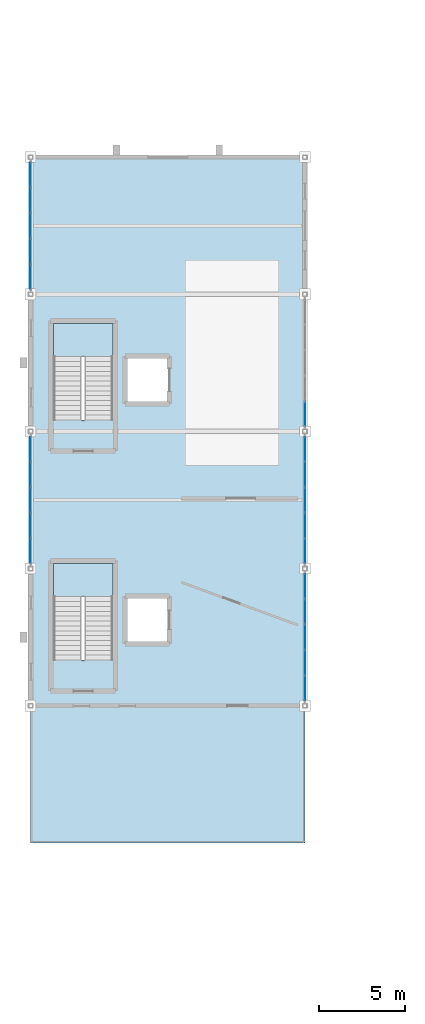
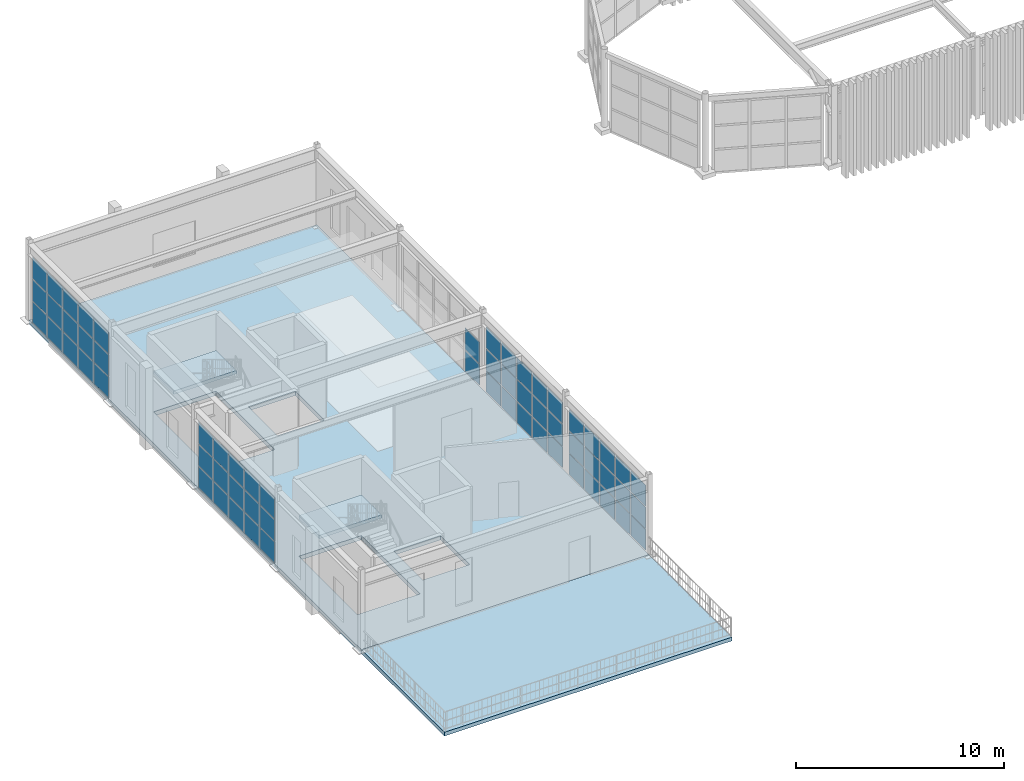
# One storey, part 35 of 61: 62 plates, 4 slabs, 7 elements without a shape of their own.
"""IFC4 building model written with IfcOpenShell, lengths in metres."""

from ifc_helpers import new_model, si_unit, direction, frame, origin, origin_2d, place, context, subcontext, project, spatial, polyline, rectangle, outline, extrude, material, layer, layer_set, type_object, element, aggregate, save


model = new_model("IFC4")

# Units and contexts
model_context = context("Model", 3, precision=1e-05, world=origin(), true_north=direction((0.0, 1.0)))
body_context = subcontext(model_context, "Body", "Model", "MODEL_VIEW")
ifc_project = project(units=[si_unit("LENGTHUNIT", "METRE"), si_unit("AREAUNIT", "SQUARE_METRE"), si_unit("VOLUMEUNIT", "CUBIC_METRE"), si_unit("PLANEANGLEUNIT", "RADIAN"), si_unit("MASSUNIT", "GRAM", prefix="KILO")], contexts=[model_context])

# Site, building, storey
site_placement = place(None, origin())
site = spatial("IfcSite", under=ifc_project, at=site_placement, CompositionType="ELEMENT")
building_placement = place(site_placement, origin())
building = spatial("IfcBuilding", under=site, at=building_placement, Name="Serraluz Foothill Cableway Terminal", CompositionType="ELEMENT")
storey_placement = place(building_placement, frame((0.0, 0.0, 15.0)))
storey = spatial("IfcBuildingStorey", under=building, at=storey_placement, Name="L03", CompositionType="ELEMENT", Elevation=15.0)

# Curtain wall, plates
ifc_material_1 = material(Name="Architectural bronze alloy C28000", Category="aluminium")
curtain_wall_type_1 = type_object("IfcCurtainWallType", Name="TYP-CW-680X420", PredefinedType="NOTDEFINED", material=ifc_material_1)
curtain_wall_1_placement = place(storey_placement, origin())
curtain_wall_1 = element("IfcCurtainWall", 1, at=curtain_wall_1_placement, inside=storey, type_object=curtain_wall_type_1, Name="Ribbed Glazed Curtain Wall CW-V5E-L03-32", PredefinedType="NOTDEFINED")
ifc_material_2 = material(Name="Translucent ribbed laminated channel glass", Category="glass")
ifc_layer_1 = layer(ifc_material_2, 0.028076171875, Name="Translucent ribbed laminated channel glass", Category="glass")
ifc_layer_set_1 = layer_set([ifc_layer_1], Name="Translucent ribbed laminated channel glass")
plate_type = type_object("IfcPlateType", Name="TYP-CW-PNL-28", PredefinedType="CURTAIN_PANEL", material=ifc_layer_set_1)
plate_1_placement = place(storey_placement, frame((16.0, 38.972900390625, 0.06005859375), z_axis=(0.0, 0.0, 1.0), x_axis=(0.0, -1.0, 0.0)))
plate_1 = element("IfcPlate", 2, at=plate_1_placement, type_object=plate_type, Name="CW-13 panel 1.1", PredefinedType="CURTAIN_PANEL", context=body_context, shape_type="SweptSolid", body=[
    extrude(rectangle(XDim=1.404052734375, YDim=0.028076171875, at=origin_2d()), origin(), (0.0, 0.0, 1.0), 1.224609375),
])
plate_2_placement = place(storey_placement, frame((16.0, 38.972900390625, 1.3447265625), z_axis=(0.0, 0.0, 1.0), x_axis=(0.0, -1.0, 0.0)))
plate_2 = element("IfcPlate", 3, at=plate_2_placement, type_object=plate_type, Name="CW-13 panel 1.2", PredefinedType="CURTAIN_PANEL", context=body_context, shape_type="SweptSolid", body=[
    extrude(rectangle(XDim=1.404052734375, YDim=0.028076171875, at=origin_2d()), origin(), (0.0, 0.0, 1.0), 1.254638671875),
])
plate_3_placement = place(storey_placement, frame((16.0, 38.972900390625, 2.659423828125), z_axis=(0.0, 0.0, 1.0), x_axis=(0.0, -1.0, 0.0)))
plate_3 = element("IfcPlate", 4, at=plate_3_placement, type_object=plate_type, Name="CW-13 panel 1.3", PredefinedType="CURTAIN_PANEL", context=body_context, shape_type="SweptSolid", body=[
    extrude(rectangle(XDim=1.404052734375, YDim=0.028076171875, at=origin_2d()), origin(), (0.0, 0.0, 1.0), 1.224609375),
])
plate_4_placement = place(storey_placement, frame((16.0, 37.493896484375, 0.06005859375), z_axis=(0.0, 0.0, 1.0), x_axis=(0.0, -1.0, 0.0)))
plate_4 = element("IfcPlate", 5, at=plate_4_placement, type_object=plate_type, Name="CW-13 panel 2.1", PredefinedType="CURTAIN_PANEL", context=body_context, shape_type="SweptSolid", body=[
    extrude(rectangle(XDim=1.43408203125, YDim=0.028076171875, at=origin_2d()), origin(), (0.0, 0.0, 1.0), 1.224609375),
])
plate_5_placement = place(storey_placement, frame((16.0, 37.493896484375, 1.3447265625), z_axis=(0.0, 0.0, 1.0), x_axis=(0.0, -1.0, 0.0)))
plate_5 = element("IfcPlate", 6, at=plate_5_placement, type_object=plate_type, Name="CW-13 panel 2.2", PredefinedType="CURTAIN_PANEL", context=body_context, shape_type="SweptSolid", body=[
    extrude(rectangle(XDim=1.43408203125, YDim=0.028076171875, at=origin_2d()), origin(), (0.0, 0.0, 1.0), 1.254638671875),
])
plate_6_placement = place(storey_placement, frame((16.0, 37.493896484375, 2.659423828125), z_axis=(0.0, 0.0, 1.0), x_axis=(0.0, -1.0, 0.0)))
plate_6 = element("IfcPlate", 7, at=plate_6_placement, type_object=plate_type, Name="CW-13 panel 2.3", PredefinedType="CURTAIN_PANEL", context=body_context, shape_type="SweptSolid", body=[
    extrude(rectangle(XDim=1.43408203125, YDim=0.028076171875, at=origin_2d()), origin(), (0.0, 0.0, 1.0), 1.224609375),
])
plate_7_placement = place(storey_placement, frame((16.0, 36.0, 0.06005859375), z_axis=(0.0, 0.0, 1.0), x_axis=(0.0, -1.0, 0.0)))
plate_7 = element("IfcPlate", 8, at=plate_7_placement, type_object=plate_type, Name="CW-13 panel 3.1", PredefinedType="CURTAIN_PANEL", context=body_context, shape_type="SweptSolid", body=[
    extrude(rectangle(XDim=1.43408203125, YDim=0.028076171875, at=origin_2d()), origin(), (0.0, 0.0, 1.0), 1.224609375),
])
plate_8_placement = place(storey_placement, frame((16.0, 36.0, 1.3447265625), z_axis=(0.0, 0.0, 1.0), x_axis=(0.0, -1.0, 0.0)))
plate_8 = element("IfcPlate", 9, at=plate_8_placement, type_object=plate_type, Name="CW-13 panel 3.2", PredefinedType="CURTAIN_PANEL", context=body_context, shape_type="SweptSolid", body=[
    extrude(rectangle(XDim=1.43408203125, YDim=0.028076171875, at=origin_2d()), origin(), (0.0, 0.0, 1.0), 1.254638671875),
])
plate_9_placement = place(storey_placement, frame((16.0, 36.0, 2.659423828125), z_axis=(0.0, 0.0, 1.0), x_axis=(0.0, -1.0, 0.0)))
plate_9 = element("IfcPlate", 10, at=plate_9_placement, type_object=plate_type, Name="CW-13 panel 3.3", PredefinedType="CURTAIN_PANEL", context=body_context, shape_type="SweptSolid", body=[
    extrude(rectangle(XDim=1.43408203125, YDim=0.028076171875, at=origin_2d()), origin(), (0.0, 0.0, 1.0), 1.224609375),
])
plate_10_placement = place(storey_placement, frame((16.0, 34.506103515625, 0.06005859375), z_axis=(0.0, 0.0, 1.0), x_axis=(0.0, -1.0, 0.0)))
plate_10 = element("IfcPlate", 11, at=plate_10_placement, type_object=plate_type, Name="CW-13 panel 4.1", PredefinedType="CURTAIN_PANEL", context=body_context, shape_type="SweptSolid", body=[
    extrude(rectangle(XDim=1.43408203125, YDim=0.028076171875, at=origin_2d()), origin(), (0.0, 0.0, 1.0), 1.224609375),
])
plate_11_placement = place(storey_placement, frame((16.0, 34.506103515625, 1.3447265625), z_axis=(0.0, 0.0, 1.0), x_axis=(0.0, -1.0, 0.0)))
plate_11 = element("IfcPlate", 12, at=plate_11_placement, type_object=plate_type, Name="CW-13 panel 4.2", PredefinedType="CURTAIN_PANEL", context=body_context, shape_type="SweptSolid", body=[
    extrude(rectangle(XDim=1.43408203125, YDim=0.028076171875, at=origin_2d()), origin(), (0.0, 0.0, 1.0), 1.254638671875),
])
plate_12_placement = place(storey_placement, frame((16.0, 34.506103515625, 2.659423828125), z_axis=(0.0, 0.0, 1.0), x_axis=(0.0, -1.0, 0.0)))
plate_12 = element("IfcPlate", 13, at=plate_12_placement, type_object=plate_type, Name="CW-13 panel 4.3", PredefinedType="CURTAIN_PANEL", context=body_context, shape_type="SweptSolid", body=[
    extrude(rectangle(XDim=1.43408203125, YDim=0.028076171875, at=origin_2d()), origin(), (0.0, 0.0, 1.0), 1.224609375),
])
plate_13_placement = place(storey_placement, frame((16.0, 33.027099609375, 0.06005859375), z_axis=(0.0, 0.0, 1.0), x_axis=(0.0, -1.0, 0.0)))
plate_13 = element("IfcPlate", 14, at=plate_13_placement, type_object=plate_type, Name="CW-13 panel 5.1", PredefinedType="CURTAIN_PANEL", context=body_context, shape_type="SweptSolid", body=[
    extrude(rectangle(XDim=1.404052734375, YDim=0.028076171875, at=origin_2d()), origin(), (0.0, 0.0, 1.0), 1.224609375),
])
plate_14_placement = place(storey_placement, frame((16.0, 33.027099609375, 1.3447265625), z_axis=(0.0, 0.0, 1.0), x_axis=(0.0, -1.0, 0.0)))
plate_14 = element("IfcPlate", 15, at=plate_14_placement, type_object=plate_type, Name="CW-13 panel 5.2", PredefinedType="CURTAIN_PANEL", context=body_context, shape_type="SweptSolid", body=[
    extrude(rectangle(XDim=1.404052734375, YDim=0.028076171875, at=origin_2d()), origin(), (0.0, 0.0, 1.0), 1.254638671875),
])
plate_15_placement = place(storey_placement, frame((16.0, 33.027099609375, 2.659423828125), z_axis=(0.0, 0.0, 1.0), x_axis=(0.0, -1.0, 0.0)))
plate_15 = element("IfcPlate", 16, at=plate_15_placement, type_object=plate_type, Name="CW-13 panel 5.3", PredefinedType="CURTAIN_PANEL", context=body_context, shape_type="SweptSolid", body=[
    extrude(rectangle(XDim=1.404052734375, YDim=0.028076171875, at=origin_2d()), origin(), (0.0, 0.0, 1.0), 1.224609375),
])
aggregate(curtain_wall_1, [plate_1, plate_2, plate_3, plate_4, plate_5, plate_6, plate_7, plate_8, plate_9, plate_10, plate_11, plate_12, plate_13, plate_14, plate_15])

curtain_wall_type_2 = type_object("IfcCurtainWallType", Name="TYP-CW-520X440", PredefinedType="NOTDEFINED", material=ifc_material_1)
curtain_wall_2_placement = place(storey_placement, origin())
curtain_wall_2 = element("IfcCurtainWall", 17, at=curtain_wall_2_placement, inside=storey, type_object=curtain_wall_type_2, Name="Ribbed Glazed Curtain Wall CW-V5W-L03-40", PredefinedType="NOTDEFINED")
plate_16_placement = place(storey_placement, frame((0.0, 41.027099609375, 0.06005859375), z_axis=(0.0, 0.0, 1.0), x_axis=(0.0, 1.0, 0.0)))
plate_16 = element("IfcPlate", 18, at=plate_16_placement, type_object=plate_type, Name="CW-08 panel 1.1", PredefinedType="CURTAIN_PANEL", context=body_context, shape_type="SweptSolid", body=[
    extrude(rectangle(XDim=1.404052734375, YDim=0.028076171875, at=origin_2d()), origin(), (0.0, 0.0, 1.0), 1.224609375),
])
plate_17_placement = place(storey_placement, frame((0.0, 41.027099609375, 1.3447265625), z_axis=(0.0, 0.0, 1.0), x_axis=(0.0, 1.0, 0.0)))
plate_17 = element("IfcPlate", 19, at=plate_17_placement, type_object=plate_type, Name="CW-08 panel 1.2", PredefinedType="CURTAIN_PANEL", context=body_context, shape_type="SweptSolid", body=[
    extrude(rectangle(XDim=1.404052734375, YDim=0.028076171875, at=origin_2d()), origin(), (0.0, 0.0, 1.0), 1.254638671875),
])
plate_18_placement = place(storey_placement, frame((0.0, 41.027099609375, 2.659423828125), z_axis=(0.0, 0.0, 1.0), x_axis=(0.0, 1.0, 0.0)))
plate_18 = element("IfcPlate", 20, at=plate_18_placement, type_object=plate_type, Name="CW-08 panel 1.3", PredefinedType="CURTAIN_PANEL", context=body_context, shape_type="SweptSolid", body=[
    extrude(rectangle(XDim=1.404052734375, YDim=0.028076171875, at=origin_2d()), origin(), (0.0, 0.0, 1.0), 1.224609375),
])
plate_19_placement = place(storey_placement, frame((0.0, 42.506103515625, 0.06005859375), z_axis=(0.0, 0.0, 1.0), x_axis=(0.0, 1.0, 0.0)))
plate_19 = element("IfcPlate", 21, at=plate_19_placement, type_object=plate_type, Name="CW-08 panel 2.1", PredefinedType="CURTAIN_PANEL", context=body_context, shape_type="SweptSolid", body=[
    extrude(rectangle(XDim=1.43408203125, YDim=0.028076171875, at=origin_2d()), origin(), (0.0, 0.0, 1.0), 1.224609375),
])
plate_20_placement = place(storey_placement, frame((0.0, 42.506103515625, 1.3447265625), z_axis=(0.0, 0.0, 1.0), x_axis=(0.0, 1.0, 0.0)))
plate_20 = element("IfcPlate", 22, at=plate_20_placement, type_object=plate_type, Name="CW-08 panel 2.2", PredefinedType="CURTAIN_PANEL", context=body_context, shape_type="SweptSolid", body=[
    extrude(rectangle(XDim=1.43408203125, YDim=0.028076171875, at=origin_2d()), origin(), (0.0, 0.0, 1.0), 1.254638671875),
])
plate_21_placement = place(storey_placement, frame((0.0, 42.506103515625, 2.659423828125), z_axis=(0.0, 0.0, 1.0), x_axis=(0.0, 1.0, 0.0)))
plate_21 = element("IfcPlate", 23, at=plate_21_placement, type_object=plate_type, Name="CW-08 panel 2.3", PredefinedType="CURTAIN_PANEL", context=body_context, shape_type="SweptSolid", body=[
    extrude(rectangle(XDim=1.43408203125, YDim=0.028076171875, at=origin_2d()), origin(), (0.0, 0.0, 1.0), 1.224609375),
])
plate_22_placement = place(storey_placement, frame((0.0, 44.0, 0.06005859375), z_axis=(0.0, 0.0, 1.0), x_axis=(0.0, 1.0, 0.0)))
plate_22 = element("IfcPlate", 24, at=plate_22_placement, type_object=plate_type, Name="CW-08 panel 3.1", PredefinedType="CURTAIN_PANEL", context=body_context, shape_type="SweptSolid", body=[
    extrude(rectangle(XDim=1.43408203125, YDim=0.028076171875, at=origin_2d()), origin(), (0.0, 0.0, 1.0), 1.224609375),
])
plate_23_placement = place(storey_placement, frame((0.0, 44.0, 1.3447265625), z_axis=(0.0, 0.0, 1.0), x_axis=(0.0, 1.0, 0.0)))
plate_23 = element("IfcPlate", 25, at=plate_23_placement, type_object=plate_type, Name="CW-08 panel 3.2", PredefinedType="CURTAIN_PANEL", context=body_context, shape_type="SweptSolid", body=[
    extrude(rectangle(XDim=1.43408203125, YDim=0.028076171875, at=origin_2d()), origin(), (0.0, 0.0, 1.0), 1.254638671875),
])
plate_24_placement = place(storey_placement, frame((0.0, 44.0, 2.659423828125), z_axis=(0.0, 0.0, 1.0), x_axis=(0.0, 1.0, 0.0)))
plate_24 = element("IfcPlate", 26, at=plate_24_placement, type_object=plate_type, Name="CW-08 panel 3.3", PredefinedType="CURTAIN_PANEL", context=body_context, shape_type="SweptSolid", body=[
    extrude(rectangle(XDim=1.43408203125, YDim=0.028076171875, at=origin_2d()), origin(), (0.0, 0.0, 1.0), 1.224609375),
])
plate_25_placement = place(storey_placement, frame((0.0, 45.493896484375, 0.06005859375), z_axis=(0.0, 0.0, 1.0), x_axis=(0.0, 1.0, 0.0)))
plate_25 = element("IfcPlate", 27, at=plate_25_placement, type_object=plate_type, Name="CW-08 panel 4.1", PredefinedType="CURTAIN_PANEL", context=body_context, shape_type="SweptSolid", body=[
    extrude(rectangle(XDim=1.43408203125, YDim=0.028076171875, at=origin_2d()), origin(), (0.0, 0.0, 1.0), 1.224609375),
])
plate_26_placement = place(storey_placement, frame((0.0, 45.493896484375, 1.3447265625), z_axis=(0.0, 0.0, 1.0), x_axis=(0.0, 1.0, 0.0)))
plate_26 = element("IfcPlate", 28, at=plate_26_placement, type_object=plate_type, Name="CW-08 panel 4.2", PredefinedType="CURTAIN_PANEL", context=body_context, shape_type="SweptSolid", body=[
    extrude(rectangle(XDim=1.43408203125, YDim=0.028076171875, at=origin_2d()), origin(), (0.0, 0.0, 1.0), 1.254638671875),
])
plate_27_placement = place(storey_placement, frame((0.0, 45.493896484375, 2.659423828125), z_axis=(0.0, 0.0, 1.0), x_axis=(0.0, 1.0, 0.0)))
plate_27 = element("IfcPlate", 29, at=plate_27_placement, type_object=plate_type, Name="CW-08 panel 4.3", PredefinedType="CURTAIN_PANEL", context=body_context, shape_type="SweptSolid", body=[
    extrude(rectangle(XDim=1.43408203125, YDim=0.028076171875, at=origin_2d()), origin(), (0.0, 0.0, 1.0), 1.224609375),
])
plate_28_placement = place(storey_placement, frame((0.0, 46.972900390625, 0.06005859375), z_axis=(0.0, 0.0, 1.0), x_axis=(0.0, 1.0, 0.0)))
plate_28 = element("IfcPlate", 30, at=plate_28_placement, type_object=plate_type, Name="CW-08 panel 5.1", PredefinedType="CURTAIN_PANEL", context=body_context, shape_type="SweptSolid", body=[
    extrude(rectangle(XDim=1.404052734375, YDim=0.028076171875, at=origin_2d()), origin(), (0.0, 0.0, 1.0), 1.224609375),
])
plate_29_placement = place(storey_placement, frame((0.0, 46.972900390625, 1.3447265625), z_axis=(0.0, 0.0, 1.0), x_axis=(0.0, 1.0, 0.0)))
plate_29 = element("IfcPlate", 31, at=plate_29_placement, type_object=plate_type, Name="CW-08 panel 5.2", PredefinedType="CURTAIN_PANEL", context=body_context, shape_type="SweptSolid", body=[
    extrude(rectangle(XDim=1.404052734375, YDim=0.028076171875, at=origin_2d()), origin(), (0.0, 0.0, 1.0), 1.254638671875),
])
plate_30_placement = place(storey_placement, frame((0.0, 46.972900390625, 2.659423828125), z_axis=(0.0, 0.0, 1.0), x_axis=(0.0, 1.0, 0.0)))
plate_30 = element("IfcPlate", 32, at=plate_30_placement, type_object=plate_type, Name="CW-08 panel 5.3", PredefinedType="CURTAIN_PANEL", context=body_context, shape_type="SweptSolid", body=[
    extrude(rectangle(XDim=1.404052734375, YDim=0.028076171875, at=origin_2d()), origin(), (0.0, 0.0, 1.0), 1.224609375),
])
aggregate(curtain_wall_2, [plate_16, plate_17, plate_18, plate_19, plate_20, plate_21, plate_22, plate_23, plate_24, plate_25, plate_26, plate_27, plate_28, plate_29, plate_30])

curtain_wall_type_3 = type_object("IfcCurtainWallType", Name="TYP-CW-480X380", PredefinedType="NOTDEFINED", material=ifc_material_1)
curtain_wall_3_placement = place(storey_placement, origin())
curtain_wall_3 = element("IfcCurtainWall", 33, at=curtain_wall_3_placement, inside=storey, type_object=curtain_wall_type_3, Name="Ribbed Glazed Curtain Wall CW-V5E-L03-40", PredefinedType="NOTDEFINED")
plate_31_placement = place(storey_placement, frame((16.0, 46.972900390625, 0.06005859375), z_axis=(0.0, 0.0, 1.0), x_axis=(0.0, -1.0, 0.0)))
plate_31 = element("IfcPlate", 34, at=plate_31_placement, type_object=plate_type, Name="CW-14 panel 1.1", PredefinedType="CURTAIN_PANEL", context=body_context, shape_type="SweptSolid", body=[
    extrude(rectangle(XDim=1.404052734375, YDim=0.028076171875, at=origin_2d()), origin(), (0.0, 0.0, 1.0), 1.224609375),
])
plate_32_placement = place(storey_placement, frame((16.0, 46.972900390625, 1.3447265625), z_axis=(0.0, 0.0, 1.0), x_axis=(0.0, -1.0, 0.0)))
plate_32 = element("IfcPlate", 35, at=plate_32_placement, type_object=plate_type, Name="CW-14 panel 1.2", PredefinedType="CURTAIN_PANEL", context=body_context, shape_type="SweptSolid", body=[
    extrude(rectangle(XDim=1.404052734375, YDim=0.028076171875, at=origin_2d()), origin(), (0.0, 0.0, 1.0), 1.254638671875),
])
plate_33_placement = place(storey_placement, frame((16.0, 46.972900390625, 2.659423828125), z_axis=(0.0, 0.0, 1.0), x_axis=(0.0, -1.0, 0.0)))
plate_33 = element("IfcPlate", 36, at=plate_33_placement, type_object=plate_type, Name="CW-14 panel 1.3", PredefinedType="CURTAIN_PANEL", context=body_context, shape_type="SweptSolid", body=[
    extrude(rectangle(XDim=1.404052734375, YDim=0.028076171875, at=origin_2d()), origin(), (0.0, 0.0, 1.0), 1.224609375),
])
plate_34_placement = place(storey_placement, frame((16.0, 45.493896484375, 0.06005859375), z_axis=(0.0, 0.0, 1.0), x_axis=(0.0, -1.0, 0.0)))
plate_34 = element("IfcPlate", 37, at=plate_34_placement, type_object=plate_type, Name="CW-14 panel 2.1", PredefinedType="CURTAIN_PANEL", context=body_context, shape_type="SweptSolid", body=[
    extrude(rectangle(XDim=1.43408203125, YDim=0.028076171875, at=origin_2d()), origin(), (0.0, 0.0, 1.0), 1.224609375),
])
plate_35_placement = place(storey_placement, frame((16.0, 45.493896484375, 1.3447265625), z_axis=(0.0, 0.0, 1.0), x_axis=(0.0, -1.0, 0.0)))
plate_35 = element("IfcPlate", 38, at=plate_35_placement, type_object=plate_type, Name="CW-14 panel 2.2", PredefinedType="CURTAIN_PANEL", context=body_context, shape_type="SweptSolid", body=[
    extrude(rectangle(XDim=1.43408203125, YDim=0.028076171875, at=origin_2d()), origin(), (0.0, 0.0, 1.0), 1.254638671875),
])
plate_36_placement = place(storey_placement, frame((16.0, 45.493896484375, 2.659423828125), z_axis=(0.0, 0.0, 1.0), x_axis=(0.0, -1.0, 0.0)))
plate_36 = element("IfcPlate", 39, at=plate_36_placement, type_object=plate_type, Name="CW-14 panel 2.3", PredefinedType="CURTAIN_PANEL", context=body_context, shape_type="SweptSolid", body=[
    extrude(rectangle(XDim=1.43408203125, YDim=0.028076171875, at=origin_2d()), origin(), (0.0, 0.0, 1.0), 1.224609375),
])
plate_37_placement = place(storey_placement, frame((16.0, 44.0, 0.06005859375), z_axis=(0.0, 0.0, 1.0), x_axis=(0.0, -1.0, 0.0)))
plate_37 = element("IfcPlate", 40, at=plate_37_placement, type_object=plate_type, Name="CW-14 panel 3.1", PredefinedType="CURTAIN_PANEL", context=body_context, shape_type="SweptSolid", body=[
    extrude(rectangle(XDim=1.43408203125, YDim=0.028076171875, at=origin_2d()), origin(), (0.0, 0.0, 1.0), 1.224609375),
])
plate_38_placement = place(storey_placement, frame((16.0, 44.0, 1.3447265625), z_axis=(0.0, 0.0, 1.0), x_axis=(0.0, -1.0, 0.0)))
plate_38 = element("IfcPlate", 41, at=plate_38_placement, type_object=plate_type, Name="CW-14 panel 3.2", PredefinedType="CURTAIN_PANEL", context=body_context, shape_type="SweptSolid", body=[
    extrude(rectangle(XDim=1.43408203125, YDim=0.028076171875, at=origin_2d()), origin(), (0.0, 0.0, 1.0), 1.254638671875),
])
plate_39_placement = place(storey_placement, frame((16.0, 44.0, 2.659423828125), z_axis=(0.0, 0.0, 1.0), x_axis=(0.0, -1.0, 0.0)))
plate_39 = element("IfcPlate", 42, at=plate_39_placement, type_object=plate_type, Name="CW-14 panel 3.3", PredefinedType="CURTAIN_PANEL", context=body_context, shape_type="SweptSolid", body=[
    extrude(rectangle(XDim=1.43408203125, YDim=0.028076171875, at=origin_2d()), origin(), (0.0, 0.0, 1.0), 1.224609375),
])
plate_40_placement = place(storey_placement, frame((16.0, 42.506103515625, 0.06005859375), z_axis=(0.0, 0.0, 1.0), x_axis=(0.0, -1.0, 0.0)))
plate_40 = element("IfcPlate", 43, at=plate_40_placement, type_object=plate_type, Name="CW-14 panel 4.1", PredefinedType="CURTAIN_PANEL", context=body_context, shape_type="SweptSolid", body=[
    extrude(rectangle(XDim=1.43408203125, YDim=0.028076171875, at=origin_2d()), origin(), (0.0, 0.0, 1.0), 1.224609375),
])
plate_41_placement = place(storey_placement, frame((16.0, 42.506103515625, 1.3447265625), z_axis=(0.0, 0.0, 1.0), x_axis=(0.0, -1.0, 0.0)))
plate_41 = element("IfcPlate", 44, at=plate_41_placement, type_object=plate_type, Name="CW-14 panel 4.2", PredefinedType="CURTAIN_PANEL", context=body_context, shape_type="SweptSolid", body=[
    extrude(rectangle(XDim=1.43408203125, YDim=0.028076171875, at=origin_2d()), origin(), (0.0, 0.0, 1.0), 1.254638671875),
])
plate_42_placement = place(storey_placement, frame((16.0, 42.506103515625, 2.659423828125), z_axis=(0.0, 0.0, 1.0), x_axis=(0.0, -1.0, 0.0)))
plate_42 = element("IfcPlate", 45, at=plate_42_placement, type_object=plate_type, Name="CW-14 panel 4.3", PredefinedType="CURTAIN_PANEL", context=body_context, shape_type="SweptSolid", body=[
    extrude(rectangle(XDim=1.43408203125, YDim=0.028076171875, at=origin_2d()), origin(), (0.0, 0.0, 1.0), 1.224609375),
])
plate_43_placement = place(storey_placement, frame((16.0, 41.027099609375, 0.06005859375), z_axis=(0.0, 0.0, 1.0), x_axis=(0.0, -1.0, 0.0)))
plate_43 = element("IfcPlate", 46, at=plate_43_placement, type_object=plate_type, Name="CW-14 panel 5.1", PredefinedType="CURTAIN_PANEL", context=body_context, shape_type="SweptSolid", body=[
    extrude(rectangle(XDim=1.404052734375, YDim=0.028076171875, at=origin_2d()), origin(), (0.0, 0.0, 1.0), 1.224609375),
])
plate_44_placement = place(storey_placement, frame((16.0, 41.027099609375, 1.3447265625), z_axis=(0.0, 0.0, 1.0), x_axis=(0.0, -1.0, 0.0)))
plate_44 = element("IfcPlate", 47, at=plate_44_placement, type_object=plate_type, Name="CW-14 panel 5.2", PredefinedType="CURTAIN_PANEL", context=body_context, shape_type="SweptSolid", body=[
    extrude(rectangle(XDim=1.404052734375, YDim=0.028076171875, at=origin_2d()), origin(), (0.0, 0.0, 1.0), 1.254638671875),
])
plate_45_placement = place(storey_placement, frame((16.0, 41.027099609375, 2.659423828125), z_axis=(0.0, 0.0, 1.0), x_axis=(0.0, -1.0, 0.0)))
plate_45 = element("IfcPlate", 48, at=plate_45_placement, type_object=plate_type, Name="CW-14 panel 5.3", PredefinedType="CURTAIN_PANEL", context=body_context, shape_type="SweptSolid", body=[
    extrude(rectangle(XDim=1.404052734375, YDim=0.028076171875, at=origin_2d()), origin(), (0.0, 0.0, 1.0), 1.224609375),
])
aggregate(curtain_wall_3, [plate_31, plate_32, plate_33, plate_34, plate_35, plate_36, plate_37, plate_38, plate_39, plate_40, plate_41, plate_42, plate_43, plate_44, plate_45])

curtain_wall_type_4 = type_object("IfcCurtainWallType", Name="TYP-CW-480X420", PredefinedType="NOTDEFINED", material=ifc_material_1)
curtain_wall_4_placement = place(storey_placement, origin())
curtain_wall_4 = element("IfcCurtainWall", 49, at=curtain_wall_4_placement, inside=storey, type_object=curtain_wall_type_4, Name="Ribbed Glazed Curtain Wall CW-V5E-L03-48", PredefinedType="NOTDEFINED")
plate_46_placement = place(storey_placement, frame((16.0, 49.027099609375, 0.06005859375), z_axis=(0.0, 0.0, 1.0), x_axis=(0.0, -1.0, 0.0)))
plate_46 = element("IfcPlate", 50, at=plate_46_placement, type_object=plate_type, Name="CW-15 panel 5.1", PredefinedType="CURTAIN_PANEL", context=body_context, shape_type="SweptSolid", body=[
    extrude(rectangle(XDim=1.404052734375, YDim=0.028076171875, at=origin_2d()), origin(), (0.0, 0.0, 1.0), 1.224609375),
])
plate_47_placement = place(storey_placement, frame((16.0, 49.027099609375, 1.3447265625), z_axis=(0.0, 0.0, 1.0), x_axis=(0.0, -1.0, 0.0)))
plate_47 = element("IfcPlate", 51, at=plate_47_placement, type_object=plate_type, Name="CW-15 panel 5.2", PredefinedType="CURTAIN_PANEL", context=body_context, shape_type="SweptSolid", body=[
    extrude(rectangle(XDim=1.404052734375, YDim=0.028076171875, at=origin_2d()), origin(), (0.0, 0.0, 1.0), 1.254638671875),
])
aggregate(curtain_wall_4, [plate_46, plate_47])

curtain_wall_type_5 = type_object("IfcCurtainWallType", Name="TYP-CW-540X420", PredefinedType="NOTDEFINED", material=ifc_material_1)
curtain_wall_5_placement = place(storey_placement, origin())
curtain_wall_5 = element("IfcCurtainWall", 52, at=curtain_wall_5_placement, inside=storey, type_object=curtain_wall_type_5, Name="Ribbed Glazed Curtain Wall CW-V5W-L03-56", PredefinedType="NOTDEFINED")
plate_48_placement = place(storey_placement, frame((0.0, 57.027099609375, 0.06005859375), z_axis=(0.0, 0.0, 1.0), x_axis=(0.0, 1.0, 0.0)))
plate_48 = element("IfcPlate", 53, at=plate_48_placement, type_object=plate_type, Name="CW-10 panel 1.1", PredefinedType="CURTAIN_PANEL", context=body_context, shape_type="SweptSolid", body=[
    extrude(rectangle(XDim=1.404052734375, YDim=0.028076171875, at=origin_2d()), origin(), (0.0, 0.0, 1.0), 1.226318359375),
])
plate_49_placement = place(storey_placement, frame((0.0, 57.027099609375, 1.346435546875), z_axis=(0.0, 0.0, 1.0), x_axis=(0.0, 1.0, 0.0)))
plate_49 = element("IfcPlate", 54, at=plate_49_placement, type_object=plate_type, Name="CW-10 panel 1.2", PredefinedType="CURTAIN_PANEL", context=body_context, shape_type="SweptSolid", body=[
    extrude(rectangle(XDim=1.404052734375, YDim=0.028076171875, at=origin_2d()), origin(), (0.0, 0.0, 1.0), 1.25634765625),
])
plate_50_placement = place(storey_placement, frame((0.0, 57.027099609375, 2.66259765625), z_axis=(0.0, 0.0, 1.0), x_axis=(0.0, 1.0, 0.0)))
plate_50 = element("IfcPlate", 55, at=plate_50_placement, type_object=plate_type, Name="CW-10 panel 1.3", PredefinedType="CURTAIN_PANEL", context=body_context, shape_type="SweptSolid", body=[
    extrude(rectangle(XDim=1.404052734375, YDim=0.028076171875, at=origin_2d()), origin(), (0.0, 0.0, 1.0), 1.226318359375),
])
plate_51_placement = place(storey_placement, frame((0.0, 58.506103515625, 0.06005859375), z_axis=(0.0, 0.0, 1.0), x_axis=(0.0, 1.0, 0.0)))
plate_51 = element("IfcPlate", 56, at=plate_51_placement, type_object=plate_type, Name="CW-10 panel 2.1", PredefinedType="CURTAIN_PANEL", context=body_context, shape_type="SweptSolid", body=[
    extrude(rectangle(XDim=1.43408203125, YDim=0.028076171875, at=origin_2d()), origin(), (0.0, 0.0, 1.0), 1.226318359375),
])
plate_52_placement = place(storey_placement, frame((0.0, 58.506103515625, 1.346435546875), z_axis=(0.0, 0.0, 1.0), x_axis=(0.0, 1.0, 0.0)))
plate_52 = element("IfcPlate", 57, at=plate_52_placement, type_object=plate_type, Name="CW-10 panel 2.2", PredefinedType="CURTAIN_PANEL", context=body_context, shape_type="SweptSolid", body=[
    extrude(rectangle(XDim=1.43408203125, YDim=0.028076171875, at=origin_2d()), origin(), (0.0, 0.0, 1.0), 1.25634765625),
])
plate_53_placement = place(storey_placement, frame((0.0, 58.506103515625, 2.66259765625), z_axis=(0.0, 0.0, 1.0), x_axis=(0.0, 1.0, 0.0)))
plate_53 = element("IfcPlate", 58, at=plate_53_placement, type_object=plate_type, Name="CW-10 panel 2.3", PredefinedType="CURTAIN_PANEL", context=body_context, shape_type="SweptSolid", body=[
    extrude(rectangle(XDim=1.43408203125, YDim=0.028076171875, at=origin_2d()), origin(), (0.0, 0.0, 1.0), 1.226318359375),
])
plate_54_placement = place(storey_placement, frame((0.0, 60.0, 0.06005859375), z_axis=(0.0, 0.0, 1.0), x_axis=(0.0, 1.0, 0.0)))
plate_54 = element("IfcPlate", 59, at=plate_54_placement, type_object=plate_type, Name="CW-10 panel 3.1", PredefinedType="CURTAIN_PANEL", context=body_context, shape_type="SweptSolid", body=[
    extrude(rectangle(XDim=1.43408203125, YDim=0.028076171875, at=origin_2d()), origin(), (0.0, 0.0, 1.0), 1.226318359375),
])
plate_55_placement = place(storey_placement, frame((0.0, 60.0, 1.346435546875), z_axis=(0.0, 0.0, 1.0), x_axis=(0.0, 1.0, 0.0)))
plate_55 = element("IfcPlate", 60, at=plate_55_placement, type_object=plate_type, Name="CW-10 panel 3.2", PredefinedType="CURTAIN_PANEL", context=body_context, shape_type="SweptSolid", body=[
    extrude(rectangle(XDim=1.43408203125, YDim=0.028076171875, at=origin_2d()), origin(), (0.0, 0.0, 1.0), 1.25634765625),
])
plate_56_placement = place(storey_placement, frame((0.0, 60.0, 2.66259765625), z_axis=(0.0, 0.0, 1.0), x_axis=(0.0, 1.0, 0.0)))
plate_56 = element("IfcPlate", 61, at=plate_56_placement, type_object=plate_type, Name="CW-10 panel 3.3", PredefinedType="CURTAIN_PANEL", context=body_context, shape_type="SweptSolid", body=[
    extrude(rectangle(XDim=1.43408203125, YDim=0.028076171875, at=origin_2d()), origin(), (0.0, 0.0, 1.0), 1.226318359375),
])
plate_57_placement = place(storey_placement, frame((0.0, 61.493896484375, 0.06005859375), z_axis=(0.0, 0.0, 1.0), x_axis=(0.0, 1.0, 0.0)))
plate_57 = element("IfcPlate", 62, at=plate_57_placement, type_object=plate_type, Name="CW-10 panel 4.1", PredefinedType="CURTAIN_PANEL", context=body_context, shape_type="SweptSolid", body=[
    extrude(rectangle(XDim=1.43408203125, YDim=0.028076171875, at=origin_2d()), origin(), (0.0, 0.0, 1.0), 1.226318359375),
])
plate_58_placement = place(storey_placement, frame((0.0, 61.493896484375, 1.346435546875), z_axis=(0.0, 0.0, 1.0), x_axis=(0.0, 1.0, 0.0)))
plate_58 = element("IfcPlate", 63, at=plate_58_placement, type_object=plate_type, Name="CW-10 panel 4.2", PredefinedType="CURTAIN_PANEL", context=body_context, shape_type="SweptSolid", body=[
    extrude(rectangle(XDim=1.43408203125, YDim=0.028076171875, at=origin_2d()), origin(), (0.0, 0.0, 1.0), 1.25634765625),
])
plate_59_placement = place(storey_placement, frame((0.0, 61.493896484375, 2.66259765625), z_axis=(0.0, 0.0, 1.0), x_axis=(0.0, 1.0, 0.0)))
plate_59 = element("IfcPlate", 64, at=plate_59_placement, type_object=plate_type, Name="CW-10 panel 4.3", PredefinedType="CURTAIN_PANEL", context=body_context, shape_type="SweptSolid", body=[
    extrude(rectangle(XDim=1.43408203125, YDim=0.028076171875, at=origin_2d()), origin(), (0.0, 0.0, 1.0), 1.226318359375),
])
plate_60_placement = place(storey_placement, frame((0.0, 62.972900390625, 0.06005859375), z_axis=(0.0, 0.0, 1.0), x_axis=(0.0, 1.0, 0.0)))
plate_60 = element("IfcPlate", 65, at=plate_60_placement, type_object=plate_type, Name="CW-10 panel 5.1", PredefinedType="CURTAIN_PANEL", context=body_context, shape_type="SweptSolid", body=[
    extrude(rectangle(XDim=1.404052734375, YDim=0.028076171875, at=origin_2d()), origin(), (0.0, 0.0, 1.0), 1.226318359375),
])
plate_61_placement = place(storey_placement, frame((0.0, 62.972900390625, 1.346435546875), z_axis=(0.0, 0.0, 1.0), x_axis=(0.0, 1.0, 0.0)))
plate_61 = element("IfcPlate", 66, at=plate_61_placement, type_object=plate_type, Name="CW-10 panel 5.2", PredefinedType="CURTAIN_PANEL", context=body_context, shape_type="SweptSolid", body=[
    extrude(rectangle(XDim=1.404052734375, YDim=0.028076171875, at=origin_2d()), origin(), (0.0, 0.0, 1.0), 1.25634765625),
])
plate_62_placement = place(storey_placement, frame((0.0, 62.972900390625, 2.66259765625), z_axis=(0.0, 0.0, 1.0), x_axis=(0.0, 1.0, 0.0)))
plate_62 = element("IfcPlate", 67, at=plate_62_placement, type_object=plate_type, Name="CW-10 panel 5.3", PredefinedType="CURTAIN_PANEL", context=body_context, shape_type="SweptSolid", body=[
    extrude(rectangle(XDim=1.404052734375, YDim=0.028076171875, at=origin_2d()), origin(), (0.0, 0.0, 1.0), 1.226318359375),
])
aggregate(curtain_wall_5, [plate_48, plate_49, plate_50, plate_51, plate_52, plate_53, plate_54, plate_55, plate_56, plate_57, plate_58, plate_59, plate_60, plate_61, plate_62])

# Slab
ifc_material_3 = material(Name="Concrete C28/35 (f'c 28 MPa)", Category="concrete")
ifc_layer_2 = layer(ifc_material_3, 0.25, Name="Concrete C28/35 (f'c 28 MPa)", Category="concrete")
ifc_layer_set_2 = layer_set([ifc_layer_2], Name="Concrete C28/35 (f'c 28 MPa)")
slab_type_1 = type_object("IfcSlabType", Name="TYP-SLB-FLR-250", PredefinedType="FLOOR", material=ifc_layer_set_2)
slab_1_placement = place(storey_placement, frame((0.0, 0.0, -0.25)))
element("IfcSlab", 68, at=slab_1_placement, inside=storey, type_object=slab_type_1, Name="Structural Slab SLB-L03-V5", PredefinedType="FLOOR", context=body_context, shape_type="SweptSolid", body=[
    extrude(outline(polyline([(0.0, 32.0), (16.0, 32.0), (16.0, 64.0), (0.0, 64.0), (0.0, 32.0)]), holes=[polyline([(4.800048828125, 48.659912109375), (4.800048828125, 54.31005859375), (1.320068359375, 54.31005859375), (1.320068359375, 48.659912109375), (4.800048828125, 48.659912109375)]), polyline([(4.800048828125, 34.659912109375), (4.800048828125, 40.31005859375), (1.320068359375, 40.31005859375), (1.320068359375, 34.659912109375), (4.800048828125, 34.659912109375)]), polyline([(5.5, 49.60009765625), (8.10009765625, 49.60009765625), (8.10009765625, 52.39990234375), (5.5, 52.39990234375), (5.5, 49.60009765625)]), polyline([(5.5, 35.60009765625), (8.10009765625, 35.60009765625), (8.10009765625, 38.39990234375), (5.5, 38.39990234375), (5.5, 35.60009765625)])]), origin(), (0.0, 0.0, 1.0), 0.25),
])

# Stair, slab
ifc_material_4 = material(Name="Concrete C35/45 (f'c 35 MPa)", Category="concrete")
stair_type = type_object("IfcStairType", Name="TYP-ST-DOG-166-48", PredefinedType="HALF_TURN_STAIR", material=ifc_material_4)
stair_1_placement = place(storey_placement, origin())
stair_1 = element("IfcStair", 69, at=stair_1_placement, inside=storey, type_object=stair_type, Name="L03 ST-01", PredefinedType="HALF_TURN_STAIR")
ifc_layer_3 = layer(ifc_material_3, 0.199951171875, Name="Concrete C28/35 (f'c 28 MPa)", Category="concrete")
ifc_layer_set_3 = layer_set([ifc_layer_3], Name="Concrete C28/35 (f'c 28 MPa)")
slab_type_2 = type_object("IfcSlabType", Name="TYP-SLB-LND-200", PredefinedType="LANDING", material=ifc_layer_set_3)
slab_2_placement = place(storey_placement, frame((0.0, 0.0, 2.199951171875)))
slab_2 = element("IfcSlab", 70, at=slab_2_placement, type_object=slab_type_2, Name="ST-01 landing 1", PredefinedType="LANDING", context=body_context, shape_type="SweptSolid", body=[
    extrude(outline(polyline([(4.800048828125, 52.364990234375), (4.800048828125, 54.31005859375), (1.320068359375, 54.31005859375), (1.320068359375, 52.364990234375), (4.800048828125, 52.364990234375)])), origin(), (0.0, 0.0, 1.0), 0.199951171875),
])
aggregate(stair_1, [slab_2])

stair_2_placement = place(storey_placement, origin())
stair_2 = element("IfcStair", 71, at=stair_2_placement, inside=storey, type_object=stair_type, Name="L03 ST-02", PredefinedType="HALF_TURN_STAIR")
slab_3_placement = place(storey_placement, frame((0.0, 0.0, 2.199951171875)))
slab_3 = element("IfcSlab", 72, at=slab_3_placement, type_object=slab_type_2, Name="ST-02 landing 1", PredefinedType="LANDING", context=body_context, shape_type="SweptSolid", body=[
    extrude(outline(polyline([(4.800048828125, 38.364990234375), (4.800048828125, 40.31005859375), (1.320068359375, 40.31005859375), (1.320068359375, 38.364990234375), (4.800048828125, 38.364990234375)])), origin(), (0.0, 0.0, 1.0), 0.199951171875),
])
aggregate(stair_2, [slab_3])

# Slab
ifc_material_5 = material(Name="Precast concrete C40/50", Category="concrete")
ifc_layer_4 = layer(ifc_material_5, 0.219970703125, Name="Precast concrete C40/50", Category="concrete")
ifc_layer_set_4 = layer_set([ifc_layer_4], Name="Precast concrete C40/50")
slab_type_3 = type_object("IfcSlabType", Name="TYP-SLB-TER-220", PredefinedType="FLOOR", material=ifc_layer_set_4)
slab_4_placement = place(storey_placement, frame((0.0, 0.0, -0.219970703125)))
element("IfcSlab", 73, at=slab_4_placement, inside=storey, type_object=slab_type_3, Name="Exterior Terrace or Apron Slab TER-L03-V5", PredefinedType="FLOOR", context=body_context, shape_type="SweptSolid", body=[
    extrude(outline(polyline([(0.0, 24.0), (16.0, 24.0), (16.0, 32.0), (0.0, 32.0), (0.0, 24.0)])), origin(), (0.0, 0.0, 1.0), 0.219970703125),
])

save(model, "model.ifc")
